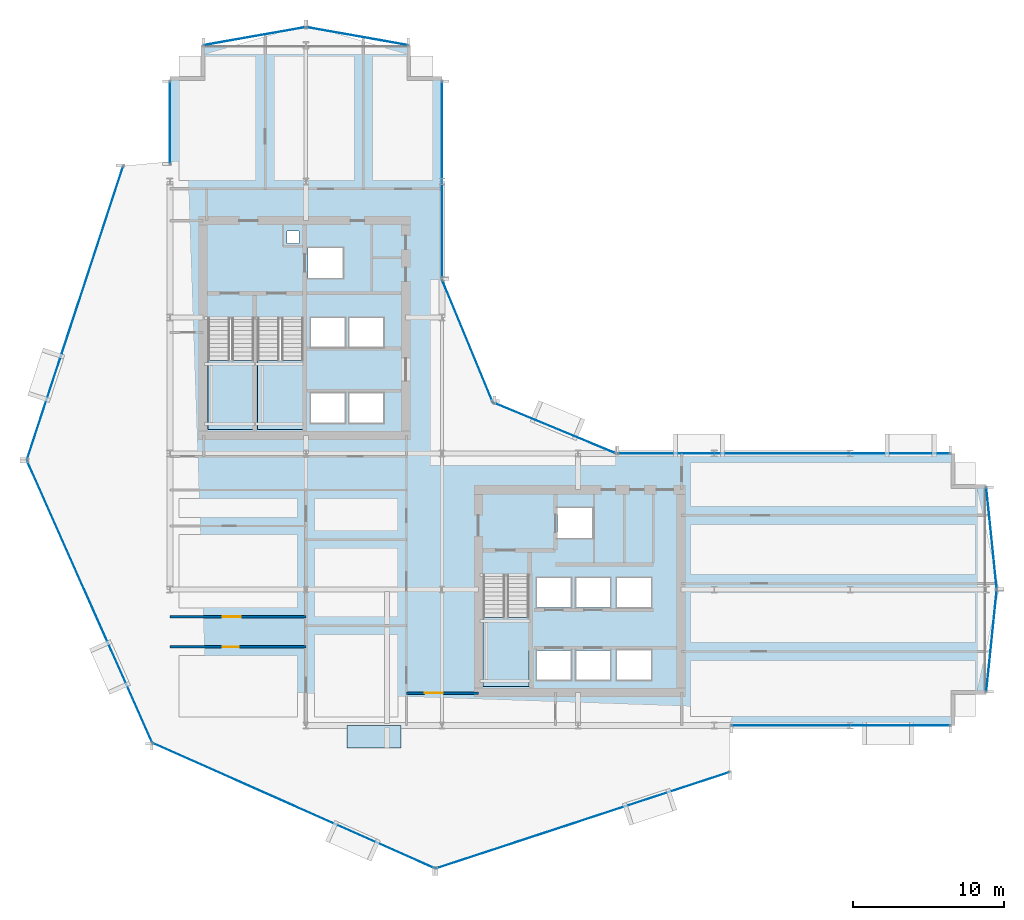
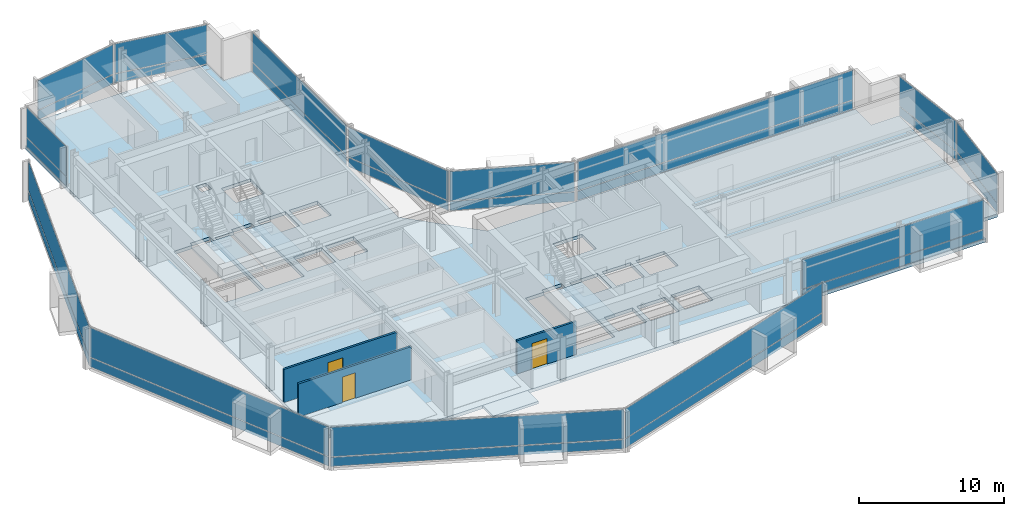
# One storey, part 26 of 34: 28 plates, 5 slabs, 3 doors, 3 walls, 3 openings, 17 elements without a shape of their own.
"""IFC4 building model written with IfcOpenShell, lengths in metres."""

from ifc_helpers import new_model, si_unit, direction, frame, frame_2d, origin, origin_2d, place, context, subcontext, project, spatial, polyline, rectangle, outline, extrude, material, layer, layer_set, type_object, element, fill, aggregate, save


model = new_model("IFC4")

# Units and contexts
model_context = context("Model", 3, precision=1e-05, world=origin(), true_north=direction((0.0, 1.0)))
body_context = subcontext(model_context, "Body", "Model", "MODEL_VIEW")
ifc_project = project(units=[si_unit("LENGTHUNIT", "METRE"), si_unit("AREAUNIT", "SQUARE_METRE"), si_unit("VOLUMEUNIT", "CUBIC_METRE"), si_unit("PLANEANGLEUNIT", "RADIAN"), si_unit("MASSUNIT", "GRAM", prefix="KILO")], contexts=[model_context])

# Site, building, storey
site_placement = place(None, origin())
site = spatial("IfcSite", under=ifc_project, at=site_placement, CompositionType="ELEMENT")
building_placement = place(site_placement, origin())
building = spatial("IfcBuilding", under=site, at=building_placement, Name="Solvaryn Broadcast Tower", CompositionType="ELEMENT")
storey_placement = place(building_placement, frame((0.0, 0.0, 92.800048828125)))
storey = spatial("IfcBuildingStorey", under=building, at=storey_placement, Name="L22", CompositionType="ELEMENT", Elevation=92.800048828125)

# Curtain wall, plates
ifc_material_1 = material(Name="Aluminium and Terracotta Unitised Curtain Wall", Category="masonry")
ifc_layer_1 = layer(ifc_material_1, 0.199951171875)
ifc_layer_set_1 = layer_set([ifc_layer_1], Name="CW-SYS2-LOWMID")
curtain_wall_type_1 = type_object("IfcCurtainWallType", Name="CW-SYS2-LOWMID", PredefinedType="NOTDEFINED", material=ifc_layer_set_1)
curtain_wall_1_placement = place(storey_placement, origin())
curtain_wall_1 = element("IfcCurtainWall", 1, at=curtain_wall_1_placement, inside=storey, type_object=curtain_wall_type_1, Name="L22 Curtain Wall DR1", PredefinedType="NOTDEFINED")
ifc_material_2 = material(Name="Kiln-Fired Architectural Terracotta Spandrel", Category="masonry")
ifc_layer_2 = layer(ifc_material_2, 0.048095703125)
ifc_layer_set_2 = layer_set([ifc_layer_2], Name="CW-PNL-TERRACOTTA")
plate_type = type_object("IfcPlateType", Name="CW-PNL-TERRACOTTA", PredefinedType="CURTAIN_PANEL", material=ifc_layer_set_2)
plate_1_placement = place(storey_placement, frame((2.72607421875, 36.2880859375, 0.06005859375), z_axis=(0.0, 0.0, 1.0), x_axis=(-0.311594044587, -0.950215318429, 0.0)))
plate_1 = element("IfcPlate", 2, at=plate_1_placement, type_object=plate_type, Name="CWS2 panel 1.1", PredefinedType="CURTAIN_PANEL", context=body_context, shape_type="SweptSolid", body=[
    extrude(rectangle(XDim=20.35546875, YDim=0.028076171875, at=origin_2d()), origin(), (0.0, 0.0, 1.0), 0.760009765625),
])
plate_2_placement = place(storey_placement, frame((2.72607421875, 36.2880859375, 0.8798828125), z_axis=(0.0, 0.0, 1.0), x_axis=(-0.311594044587, -0.950215318429, 0.0)))
plate_2 = element("IfcPlate", 3, at=plate_2_placement, type_object=plate_type, Name="CWS2 panel 1.2", PredefinedType="CURTAIN_PANEL", context=body_context, shape_type="SweptSolid", body=[
    extrude(rectangle(XDim=20.35546875, YDim=0.028076171875, at=origin_2d()), origin(), (0.0, 0.0, 1.0), 2.47998046875),
])
aggregate(curtain_wall_1, [plate_1, plate_2])

ifc_material_3 = material(Name="Aluminium and Terracotta Unitised Curtain Wall", Category="masonry")
ifc_layer_3 = layer(ifc_material_3, 0.239990234375)
ifc_layer_set_3 = layer_set([ifc_layer_3], Name="CW-SYS3-BAYBOX")
curtain_wall_type_2 = type_object("IfcCurtainWallType", Name="CW-SYS3-BAYBOX", PredefinedType="NOTDEFINED", material=ifc_layer_set_3)
curtain_wall_2_placement = place(storey_placement, origin())
curtain_wall_2 = element("IfcCurtainWall", 4, at=curtain_wall_2_placement, inside=storey, type_object=curtain_wall_type_2, Name="L22 Curtain Wall DR2", PredefinedType="NOTDEFINED")
plate_3_placement = place(storey_placement, frame((3.69140625, 17.20361328125, 0.06005859375), z_axis=(0.0, 0.0, 1.0), x_axis=(0.405898286554, -0.913918257271, 0.0)))
plate_3 = element("IfcPlate", 5, at=plate_3_placement, type_object=plate_type, Name="CWS3 panel 1.1", PredefinedType="CURTAIN_PANEL", context=body_context, shape_type="SweptSolid", body=[
    extrude(rectangle(XDim=20.35546875, YDim=0.028076171875, at=origin_2d()), origin(), (0.0, 0.0, 1.0), 0.760009765625),
])
plate_4_placement = place(storey_placement, frame((3.69140625, 17.20361328125, 0.8798828125), z_axis=(0.0, 0.0, 1.0), x_axis=(0.405898286554, -0.913918257271, 0.0)))
plate_4 = element("IfcPlate", 6, at=plate_4_placement, type_object=plate_type, Name="CWS3 panel 1.2", PredefinedType="CURTAIN_PANEL", context=body_context, shape_type="SweptSolid", body=[
    extrude(rectangle(XDim=20.35546875, YDim=0.028076171875, at=origin_2d()), origin(), (0.0, 0.0, 1.0), 2.47998046875),
])
aggregate(curtain_wall_2, [plate_3, plate_4])

curtain_wall_3_placement = place(storey_placement, origin())
curtain_wall_3 = element("IfcCurtainWall", 7, at=curtain_wall_3_placement, inside=storey, type_object=curtain_wall_type_1, Name="L22 Curtain Wall DR3", PredefinedType="NOTDEFINED")
plate_5_placement = place(storey_placement, frame((17.20361328125, 3.69140625, 0.06005859375), z_axis=(0.0, 0.0, 1.0), x_axis=(0.913918257271, -0.405898286554, 0.0)))
plate_5 = element("IfcPlate", 8, at=plate_5_placement, type_object=plate_type, Name="CWS2 panel 1.1", PredefinedType="CURTAIN_PANEL", context=body_context, shape_type="SweptSolid", body=[
    extrude(rectangle(XDim=20.35546875, YDim=0.028076171875, at=origin_2d()), origin(), (0.0, 0.0, 1.0), 0.760009765625),
])
plate_6_placement = place(storey_placement, frame((17.20361328125, 3.69140625, 0.8798828125), z_axis=(0.0, 0.0, 1.0), x_axis=(0.913918257271, -0.405898286554, 0.0)))
plate_6 = element("IfcPlate", 9, at=plate_6_placement, type_object=plate_type, Name="CWS2 panel 1.2", PredefinedType="CURTAIN_PANEL", context=body_context, shape_type="SweptSolid", body=[
    extrude(rectangle(XDim=20.35546875, YDim=0.028076171875, at=origin_2d()), origin(), (0.0, 0.0, 1.0), 2.47998046875),
])
aggregate(curtain_wall_3, [plate_5, plate_6])

curtain_wall_4_placement = place(storey_placement, origin())
curtain_wall_4 = element("IfcCurtainWall", 10, at=curtain_wall_4_placement, inside=storey, type_object=curtain_wall_type_1, Name="L22 Curtain Wall DR4", PredefinedType="NOTDEFINED")
plate_7_placement = place(storey_placement, frame((36.2880859375, 2.72607421875, 0.06005859375), z_axis=(0.0, 0.0, 1.0), x_axis=(0.950215318429, 0.311594044587, 0.0)))
plate_7 = element("IfcPlate", 11, at=plate_7_placement, type_object=plate_type, Name="CWS2 panel 1.1", PredefinedType="CURTAIN_PANEL", context=body_context, shape_type="SweptSolid", body=[
    extrude(rectangle(XDim=20.35546875, YDim=0.028076171875, at=origin_2d()), origin(), (0.0, 0.0, 1.0), 0.760009765625),
])
plate_8_placement = place(storey_placement, frame((36.2880859375, 2.72607421875, 0.8798828125), z_axis=(0.0, 0.0, 1.0), x_axis=(0.950215318429, 0.311594044587, 0.0)))
plate_8 = element("IfcPlate", 12, at=plate_8_placement, type_object=plate_type, Name="CWS2 panel 1.2", PredefinedType="CURTAIN_PANEL", context=body_context, shape_type="SweptSolid", body=[
    extrude(rectangle(XDim=20.35546875, YDim=0.028076171875, at=origin_2d()), origin(), (0.0, 0.0, 1.0), 2.47998046875),
])
aggregate(curtain_wall_4, [plate_7, plate_8])

curtain_wall_5_placement = place(storey_placement, origin())
curtain_wall_5 = element("IfcCurtainWall", 13, at=curtain_wall_5_placement, inside=storey, type_object=curtain_wall_type_1, Name="L22 Curtain Wall W2", PredefinedType="NOTDEFINED")
plate_9_placement = place(storey_placement, frame((9.0, 48.883056640625, 0.06005859375), z_axis=(0.0, 0.0, 1.0), x_axis=(0.0, 1.0, 0.0)))
plate_9 = element("IfcPlate", 14, at=plate_9_placement, type_object=plate_type, Name="CWS2 panel 1.1", PredefinedType="CURTAIN_PANEL", context=body_context, shape_type="SweptSolid", body=[
    extrude(rectangle(XDim=5.4140625, YDim=0.028076171875, at=origin_2d()), origin(), (0.0, 0.0, 1.0), 0.760009765625),
])
plate_10_placement = place(storey_placement, frame((9.0, 48.883056640625, 0.8798828125), z_axis=(0.0, 0.0, 1.0), x_axis=(0.0, 1.0, 0.0)))
plate_10 = element("IfcPlate", 15, at=plate_10_placement, type_object=plate_type, Name="CWS2 panel 1.2", PredefinedType="CURTAIN_PANEL", context=body_context, shape_type="SweptSolid", body=[
    extrude(rectangle(XDim=5.4140625, YDim=0.028076171875, at=origin_2d()), origin(), (0.0, 0.0, 1.0), 2.47998046875),
])
aggregate(curtain_wall_5, [plate_9, plate_10])

curtain_wall_6_placement = place(storey_placement, origin())
curtain_wall_6 = element("IfcCurtainWall", 16, at=curtain_wall_6_placement, inside=storey, type_object=curtain_wall_type_1, Name="L22 Curtain Wall IV", PredefinedType="NOTDEFINED")
plate_11_placement = place(storey_placement, frame((27.0, 45.125, 0.06005859375), z_axis=(0.0, 0.0, 1.0), x_axis=(0.0, -1.0, 0.0)))
plate_11 = element("IfcPlate", 17, at=plate_11_placement, type_object=plate_type, Name="CWS2 panel 1.1", PredefinedType="CURTAIN_PANEL", context=body_context, shape_type="SweptSolid", body=[
    extrude(rectangle(XDim=12.929931640625, YDim=0.028076171875, at=origin_2d()), origin(), (0.0, 0.0, 1.0), 0.760009765625),
])
plate_12_placement = place(storey_placement, frame((27.0, 45.125, 0.8798828125), z_axis=(0.0, 0.0, 1.0), x_axis=(0.0, -1.0, 0.0)))
plate_12 = element("IfcPlate", 18, at=plate_12_placement, type_object=plate_type, Name="CWS2 panel 1.2", PredefinedType="CURTAIN_PANEL", context=body_context, shape_type="SweptSolid", body=[
    extrude(rectangle(XDim=12.929931640625, YDim=0.028076171875, at=origin_2d()), origin(), (0.0, 0.0, 1.0), 2.47998046875),
])
aggregate(curtain_wall_6, [plate_11, plate_12])

curtain_wall_7_placement = place(storey_placement, origin())
curtain_wall_7 = element("IfcCurtainWall", 19, at=curtain_wall_7_placement, inside=storey, type_object=curtain_wall_type_1, Name="L22 Curtain Wall CN1", PredefinedType="NOTDEFINED")
plate_13_placement = place(storey_placement, frame((34.43408203125, 28.68408203125, 0.06005859375), z_axis=(0.0, 0.0, 1.0), x_axis=(-0.923894983957, 0.382646127145, 0.0)))
plate_13 = element("IfcPlate", 20, at=plate_13_placement, type_object=plate_type, Name="CWS2 panel 1.1", PredefinedType="CURTAIN_PANEL", context=body_context, shape_type="SweptSolid", body=[
    extrude(rectangle(XDim=8.681884765625, YDim=0.028076171875, at=origin_2d()), origin(), (0.0, 0.0, 1.0), 0.760009765625),
])
plate_14_placement = place(storey_placement, frame((34.43408203125, 28.68408203125, 0.8798828125), z_axis=(0.0, 0.0, 1.0), x_axis=(-0.923894983957, 0.382646127145, 0.0)))
plate_14 = element("IfcPlate", 21, at=plate_14_placement, type_object=plate_type, Name="CWS2 panel 1.2", PredefinedType="CURTAIN_PANEL", context=body_context, shape_type="SweptSolid", body=[
    extrude(rectangle(XDim=8.681884765625, YDim=0.028076171875, at=origin_2d()), origin(), (0.0, 0.0, 1.0), 2.47998046875),
])
aggregate(curtain_wall_7, [plate_13, plate_14])

curtain_wall_8_placement = place(storey_placement, origin())
curtain_wall_8 = element("IfcCurtainWall", 22, at=curtain_wall_8_placement, inside=storey, type_object=curtain_wall_type_1, Name="L22 Curtain Wall CN2", PredefinedType="NOTDEFINED")
plate_15_placement = place(storey_placement, frame((28.68408203125, 34.43408203125, 0.06005859375), z_axis=(0.0, 0.0, 1.0), x_axis=(-0.382646127145, 0.923894983957, 0.0)))
plate_15 = element("IfcPlate", 23, at=plate_15_placement, type_object=plate_type, Name="CWS2 panel 1.1", PredefinedType="CURTAIN_PANEL", context=body_context, shape_type="SweptSolid", body=[
    extrude(rectangle(XDim=8.681884765625, YDim=0.028076171875, at=origin_2d()), origin(), (0.0, 0.0, 1.0), 0.760009765625),
])
plate_16_placement = place(storey_placement, frame((28.68408203125, 34.43408203125, 0.8798828125), z_axis=(0.0, 0.0, 1.0), x_axis=(-0.382646127145, 0.923894983957, 0.0)))
plate_16 = element("IfcPlate", 24, at=plate_16_placement, type_object=plate_type, Name="CWS2 panel 1.2", PredefinedType="CURTAIN_PANEL", context=body_context, shape_type="SweptSolid", body=[
    extrude(rectangle(XDim=8.681884765625, YDim=0.028076171875, at=origin_2d()), origin(), (0.0, 0.0, 1.0), 2.47998046875),
])
aggregate(curtain_wall_8, [plate_15, plate_16])

curtain_wall_9_placement = place(storey_placement, origin())
curtain_wall_9 = element("IfcCurtainWall", 25, at=curtain_wall_9_placement, inside=storey, type_object=curtain_wall_type_1, Name="L22 Curtain Wall S2", PredefinedType="NOTDEFINED")
plate_17_placement = place(storey_placement, frame((53.383056640625, 9.0, 0.06005859375), z_axis=(0.0, 0.0, 1.0), x_axis=(1.0, 0.0, 0.0)))
plate_17 = element("IfcPlate", 26, at=plate_17_placement, type_object=plate_type, Name="CWS2 panel 1.1", PredefinedType="CURTAIN_PANEL", context=body_context, shape_type="SweptSolid", body=[
    extrude(rectangle(XDim=14.4140625, YDim=0.028076171875, at=origin_2d()), origin(), (0.0, 0.0, 1.0), 0.760009765625),
])
plate_18_placement = place(storey_placement, frame((53.383056640625, 9.0, 0.8798828125), z_axis=(0.0, 0.0, 1.0), x_axis=(1.0, 0.0, 0.0)))
plate_18 = element("IfcPlate", 27, at=plate_18_placement, type_object=plate_type, Name="CWS2 panel 1.2", PredefinedType="CURTAIN_PANEL", context=body_context, shape_type="SweptSolid", body=[
    extrude(rectangle(XDim=14.4140625, YDim=0.028076171875, at=origin_2d()), origin(), (0.0, 0.0, 1.0), 2.47998046875),
])
aggregate(curtain_wall_9, [plate_17, plate_18])

curtain_wall_10_placement = place(storey_placement, origin())
curtain_wall_10 = element("IfcCurtainWall", 28, at=curtain_wall_10_placement, inside=storey, type_object=curtain_wall_type_1, Name="L22 Curtain Wall NT1", PredefinedType="NOTDEFINED")
plate_19_placement = place(storey_placement, frame((21.39990234375, 54.60009765625, 0.06005859375), z_axis=(0.0, 0.0, 1.0), x_axis=(-0.984783558819, 0.173785333901, 0.0)))
plate_19 = element("IfcPlate", 29, at=plate_19_placement, type_object=plate_type, Name="CWS2 panel 1.1", PredefinedType="CURTAIN_PANEL", context=body_context, shape_type="SweptSolid", body=[
    extrude(rectangle(XDim=6.78515625, YDim=0.028076171875, at=origin_2d()), origin(), (0.0, 0.0, 1.0), 0.760009765625),
])
plate_20_placement = place(storey_placement, frame((21.39990234375, 54.60009765625, 0.8798828125), z_axis=(0.0, 0.0, 1.0), x_axis=(-0.984783558819, 0.173785333901, 0.0)))
plate_20 = element("IfcPlate", 30, at=plate_20_placement, type_object=plate_type, Name="CWS2 panel 1.2", PredefinedType="CURTAIN_PANEL", context=body_context, shape_type="SweptSolid", body=[
    extrude(rectangle(XDim=6.78515625, YDim=0.028076171875, at=origin_2d()), origin(), (0.0, 0.0, 1.0), 2.47998046875),
])
aggregate(curtain_wall_10, [plate_19, plate_20])

curtain_wall_11_placement = place(storey_placement, origin())
curtain_wall_11 = element("IfcCurtainWall", 31, at=curtain_wall_11_placement, inside=storey, type_object=curtain_wall_type_1, Name="L22 Curtain Wall NT2", PredefinedType="NOTDEFINED")
plate_21_placement = place(storey_placement, frame((14.60009765625, 54.60009765625, 0.06005859375), z_axis=(0.0, 0.0, 1.0), x_axis=(-0.984783558819, -0.173785333901, 0.0)))
plate_21 = element("IfcPlate", 32, at=plate_21_placement, type_object=plate_type, Name="CWS2 panel 1.1", PredefinedType="CURTAIN_PANEL", context=body_context, shape_type="SweptSolid", body=[
    extrude(rectangle(XDim=6.78515625, YDim=0.028076171875, at=origin_2d()), origin(), (0.0, 0.0, 1.0), 0.760009765625),
])
plate_22_placement = place(storey_placement, frame((14.60009765625, 54.60009765625, 0.8798828125), z_axis=(0.0, 0.0, 1.0), x_axis=(-0.984783558819, -0.173785333901, 0.0)))
plate_22 = element("IfcPlate", 33, at=plate_22_placement, type_object=plate_type, Name="CWS2 panel 1.2", PredefinedType="CURTAIN_PANEL", context=body_context, shape_type="SweptSolid", body=[
    extrude(rectangle(XDim=6.78515625, YDim=0.028076171875, at=origin_2d()), origin(), (0.0, 0.0, 1.0), 2.47998046875),
])
aggregate(curtain_wall_11, [plate_21, plate_22])

curtain_wall_12_placement = place(storey_placement, origin())
curtain_wall_12 = element("IfcCurtainWall", 34, at=curtain_wall_12_placement, inside=storey, type_object=curtain_wall_type_1, Name="L22 Curtain Wall ET1", PredefinedType="NOTDEFINED")
plate_23_placement = place(storey_placement, frame((63.35009765625, 21.39990234375, 0.06005859375), z_axis=(0.0, 0.0, 1.0), x_axis=(0.10240004548, -0.99474329889, 0.0)))
plate_23 = element("IfcPlate", 35, at=plate_23_placement, type_object=plate_type, Name="CWS2 panel 1.1", PredefinedType="CURTAIN_PANEL", context=body_context, shape_type="SweptSolid", body=[
    extrude(rectangle(XDim=6.7158203125, YDim=0.028076171875, at=origin_2d()), origin(), (0.0, 0.0, 1.0), 0.760009765625),
])
plate_24_placement = place(storey_placement, frame((63.35009765625, 21.39990234375, 0.8798828125), z_axis=(0.0, 0.0, 1.0), x_axis=(0.10240004548, -0.99474329889, 0.0)))
plate_24 = element("IfcPlate", 36, at=plate_24_placement, type_object=plate_type, Name="CWS2 panel 1.2", PredefinedType="CURTAIN_PANEL", context=body_context, shape_type="SweptSolid", body=[
    extrude(rectangle(XDim=6.7158203125, YDim=0.028076171875, at=origin_2d()), origin(), (0.0, 0.0, 1.0), 2.47998046875),
])
aggregate(curtain_wall_12, [plate_23, plate_24])

curtain_wall_13_placement = place(storey_placement, origin())
curtain_wall_13 = element("IfcCurtainWall", 37, at=curtain_wall_13_placement, inside=storey, type_object=curtain_wall_type_1, Name="L22 Curtain Wall ET2", PredefinedType="NOTDEFINED")
plate_25_placement = place(storey_placement, frame((63.35009765625, 14.60009765625, 0.06005859375), z_axis=(0.0, 0.0, 1.0), x_axis=(-0.10240004548, -0.99474329889, 0.0)))
plate_25 = element("IfcPlate", 38, at=plate_25_placement, type_object=plate_type, Name="CWS2 panel 1.1", PredefinedType="CURTAIN_PANEL", context=body_context, shape_type="SweptSolid", body=[
    extrude(rectangle(XDim=6.7158203125, YDim=0.028076171875, at=origin_2d()), origin(), (0.0, 0.0, 1.0), 0.760009765625),
])
plate_26_placement = place(storey_placement, frame((63.35009765625, 14.60009765625, 0.8798828125), z_axis=(0.0, 0.0, 1.0), x_axis=(-0.10240004548, -0.99474329889, 0.0)))
plate_26 = element("IfcPlate", 39, at=plate_26_placement, type_object=plate_type, Name="CWS2 panel 1.2", PredefinedType="CURTAIN_PANEL", context=body_context, shape_type="SweptSolid", body=[
    extrude(rectangle(XDim=6.7158203125, YDim=0.028076171875, at=origin_2d()), origin(), (0.0, 0.0, 1.0), 2.47998046875),
])
aggregate(curtain_wall_13, [plate_25, plate_26])

curtain_wall_14_placement = place(storey_placement, origin())
curtain_wall_14 = element("IfcCurtainWall", 40, at=curtain_wall_14_placement, inside=storey, type_object=curtain_wall_type_1, Name="L22 Curtain Wall IH", PredefinedType="NOTDEFINED")
plate_27_placement = place(storey_placement, frame((49.625, 27.0, 0.06005859375), z_axis=(0.0, 0.0, 1.0), x_axis=(1.0, 0.0, 0.0)))
plate_27 = element("IfcPlate", 41, at=plate_27_placement, type_object=plate_type, Name="CWS2 panel 1.1", PredefinedType="CURTAIN_PANEL", context=body_context, shape_type="SweptSolid", body=[
    extrude(rectangle(XDim=21.929931640625, YDim=0.028076171875, at=origin_2d()), origin(), (0.0, 0.0, 1.0), 0.760009765625),
])
plate_28_placement = place(storey_placement, frame((49.625, 27.0, 0.8798828125), z_axis=(0.0, 0.0, 1.0), x_axis=(1.0, 0.0, 0.0)))
plate_28 = element("IfcPlate", 42, at=plate_28_placement, type_object=plate_type, Name="CWS2 panel 1.2", PredefinedType="CURTAIN_PANEL", context=body_context, shape_type="SweptSolid", body=[
    extrude(rectangle(XDim=21.929931640625, YDim=0.028076171875, at=origin_2d()), origin(), (0.0, 0.0, 1.0), 2.47998046875),
])
aggregate(curtain_wall_14, [plate_27, plate_28])

# Slab
ifc_material_4 = material(Name="Concrete f'c 60 MPa", Category="concrete")
ifc_layer_4 = layer(ifc_material_4, 0.2099609375)
ifc_layer_set_4 = layer_set([ifc_layer_4], Name="SL-BAYBOX-210")
slab_type_1 = type_object("IfcSlabType", Name="SL-BAYBOX-210", PredefinedType="FLOOR", material=ifc_layer_set_4)
slab_1_placement = place(storey_placement, frame((0.0, 0.0, -0.2099609375)))
element("IfcSlab", 43, at=slab_1_placement, inside=storey, type_object=slab_type_1, Name="L22 Projecting Bay-Box Slab 1", PredefinedType="FLOOR", context=body_context, shape_type="SweptSolid", body=[
    extrude(outline(polyline([(20.699951171875, 7.5), (24.300048828125, 7.5), (24.300048828125, 9.0), (20.699951171875, 9.0), (20.699951171875, 7.5)])), origin(), (0.0, 0.0, 1.0), 0.2099609375),
])

# Stair, slab
ifc_material_5 = material(Name="Concrete f'c 60 MPa", Category="concrete")
stair_type = type_object("IfcStairType", Name="ST-CORE", PredefinedType="HALF_TURN_STAIR", material=ifc_material_5)
stair_1_placement = place(storey_placement, origin())
stair_1 = element("IfcStair", 44, at=stair_1_placement, inside=storey, type_object=stair_type, Name="L22 ST1", PredefinedType="HALF_TURN_STAIR")
ifc_material_6 = material(Name="Concrete f'c 60 MPa", Category="concrete")
ifc_layer_5 = layer(ifc_material_6, 0.199951171875)
ifc_layer_set_5 = layer_set([ifc_layer_5], Name="SL-LANDING-200")
slab_type_2 = type_object("IfcSlabType", Name="SL-LANDING-200", PredefinedType="LANDING", material=ifc_layer_set_5)
slab_2_placement = place(storey_placement, frame((0.0, 0.0, 1.64990234375)))
slab_2 = element("IfcSlab", 45, at=slab_2_placement, type_object=slab_type_2, Name="ST1 landing 1", PredefinedType="LANDING", context=body_context, shape_type="SweptSolid", body=[
    extrude(outline(polyline([(11.52001953125, 33.159912109375), (11.52001953125, 28.60009765625), (14.550048828125, 28.60009765625), (14.550048828125, 33.159912109375), (11.52001953125, 33.159912109375)])), origin(), (0.0, 0.0, 1.0), 0.199951171875),
])
aggregate(stair_1, [slab_2])

stair_2_placement = place(storey_placement, origin())
stair_2 = element("IfcStair", 46, at=stair_2_placement, inside=storey, type_object=stair_type, Name="L22 ST2", PredefinedType="HALF_TURN_STAIR")
slab_3_placement = place(storey_placement, frame((0.0, 0.0, 1.64990234375)))
slab_3 = element("IfcSlab", 47, at=slab_3_placement, type_object=slab_type_2, Name="ST2 landing 1", PredefinedType="LANDING", context=body_context, shape_type="SweptSolid", body=[
    extrude(outline(polyline([(14.800048828125, 33.159912109375), (14.800048828125, 28.60009765625), (17.830078125, 28.60009765625), (17.830078125, 33.159912109375), (14.800048828125, 33.159912109375)])), origin(), (0.0, 0.0, 1.0), 0.199951171875),
])
aggregate(stair_2, [slab_3])

stair_3_placement = place(storey_placement, origin())
stair_3 = element("IfcStair", 48, at=stair_3_placement, inside=storey, type_object=stair_type, Name="L22 ST3", PredefinedType="HALF_TURN_STAIR")
slab_4_placement = place(storey_placement, frame((0.0, 0.0, 1.64990234375)))
slab_4 = element("IfcSlab", 49, at=slab_4_placement, type_object=slab_type_2, Name="ST3 landing 1", PredefinedType="LANDING", context=body_context, shape_type="SweptSolid", body=[
    extrude(outline(polyline([(29.719970703125, 16.159912109375), (29.719970703125, 11.60009765625), (32.75, 11.60009765625), (32.75, 16.159912109375), (29.719970703125, 16.159912109375)])), origin(), (0.0, 0.0, 1.0), 0.199951171875),
])
aggregate(stair_3, [slab_4])

# Slab
ifc_material_7 = material(Name="Concrete f'c 60 MPa", Category="concrete")
ifc_layer_6 = layer(ifc_material_7, 0.280029296875)
ifc_layer_set_6 = layer_set([ifc_layer_6], Name="SL-TWR-280")
slab_type_3 = type_object("IfcSlabType", Name="SL-TWR-280", PredefinedType="FLOOR", material=ifc_layer_set_6)
slab_5_placement = place(storey_placement, frame((0.0, 0.0, -0.280029296875)))
element("IfcSlab", 50, at=slab_5_placement, inside=storey, type_object=slab_type_3, Name="L22 Structural Floor Slab", PredefinedType="FLOOR", context=body_context, shape_type="SweptSolid", body=[
    extrude(outline(polyline([(11.199951171875, 9.0), (60.800048828125, 9.0), (60.800048828125, 11.199951171875), (63.0, 11.199951171875), (63.0, 24.800048828125), (60.800048828125, 24.800048828125), (60.800048828125, 27.0), (31.5, 27.0), (27.0, 31.5), (27.0, 51.800048828125), (24.800048828125, 51.800048828125), (24.800048828125, 54.0), (11.199951171875, 54.0), (11.199951171875, 51.800048828125), (9.0, 51.800048828125), (9.0, 11.199951171875), (11.199951171875, 11.199951171875), (11.199951171875, 9.0)]), holes=[polyline([(11.52001953125, 28.60009765625), (14.550048828125, 28.60009765625), (14.550048828125, 35.9599609375), (12.97998046875, 35.9599609375), (12.97998046875, 35.679931640625), (11.52001953125, 35.679931640625), (11.52001953125, 28.60009765625)]), polyline([(14.800048828125, 28.60009765625), (17.830078125, 28.60009765625), (17.830078125, 35.9599609375), (16.260009765625, 35.9599609375), (16.260009765625, 35.679931640625), (14.800048828125, 35.679931640625), (14.800048828125, 28.60009765625)]), polyline([(29.719970703125, 11.60009765625), (32.75, 11.60009765625), (32.75, 18.9599609375), (31.179931640625, 18.9599609375), (31.179931640625, 18.679931640625), (29.719970703125, 18.679931640625), (29.719970703125, 11.60009765625)]), polyline([(18.14990234375, 38.60009765625), (20.449951171875, 38.60009765625), (20.449951171875, 40.60009765625), (18.14990234375, 40.60009765625), (18.14990234375, 38.60009765625)]), polyline([(18.324951171875, 29.02490234375), (20.574951171875, 29.02490234375), (20.574951171875, 30.97509765625), (18.324951171875, 30.97509765625), (18.324951171875, 29.02490234375)]), polyline([(20.875, 29.02490234375), (23.125, 29.02490234375), (23.125, 30.97509765625), (20.875, 30.97509765625), (20.875, 29.02490234375)]), polyline([(18.324951171875, 34.02490234375), (20.574951171875, 34.02490234375), (20.574951171875, 35.97509765625), (18.324951171875, 35.97509765625), (18.324951171875, 34.02490234375)]), polyline([(20.875, 34.02490234375), (23.125, 34.02490234375), (23.125, 35.97509765625), (20.875, 35.97509765625), (20.875, 34.02490234375)]), polyline([(34.64990234375, 21.39990234375), (36.949951171875, 21.39990234375), (36.949951171875, 23.39990234375), (34.64990234375, 23.39990234375), (34.64990234375, 21.39990234375)]), polyline([(33.27490234375, 12.02490234375), (35.52490234375, 12.02490234375), (35.52490234375, 13.97509765625), (33.27490234375, 13.97509765625), (33.27490234375, 12.02490234375)]), polyline([(35.875, 12.02490234375), (38.125, 12.02490234375), (38.125, 13.97509765625), (35.875, 13.97509765625), (35.875, 12.02490234375)]), polyline([(33.27490234375, 16.824951171875), (35.52490234375, 16.824951171875), (35.52490234375, 18.77490234375), (33.27490234375, 18.77490234375), (33.27490234375, 16.824951171875)]), polyline([(35.875, 16.824951171875), (38.125, 16.824951171875), (38.125, 18.77490234375), (35.875, 18.77490234375), (35.875, 16.824951171875)]), polyline([(38.574951171875, 12.02490234375), (40.824951171875, 12.02490234375), (40.824951171875, 13.97509765625), (38.574951171875, 13.97509765625), (38.574951171875, 12.02490234375)]), polyline([(38.574951171875, 16.824951171875), (40.824951171875, 16.824951171875), (40.824951171875, 18.77490234375), (38.574951171875, 18.77490234375), (38.574951171875, 16.824951171875)]), polyline([(16.75, 40.89990234375), (17.550048828125, 40.89990234375), (17.550048828125, 41.699951171875), (16.75, 41.699951171875), (16.75, 40.89990234375)])]), origin(), (0.0, 0.0, 1.0), 0.280029296875),
])

# Wall, opening, door
ifc_material_8 = material(Name="Metal-Stud Gypsum Office Partition")
ifc_layer_7 = layer(ifc_material_8, 0.159912109375)
ifc_layer_set_7 = layer_set([ifc_layer_7], Name="IW-PART-160")
wall_type = type_object("IfcWallType", Name="IW-PART-160", PredefinedType="PARTITIONING", material=ifc_layer_set_7)
wall_1_placement = place(storey_placement, frame((9.0, 14.199951171875, 0.0), z_axis=(0.0, 0.0, 1.0), x_axis=(1.0, 0.0, 0.0)))
wall_1 = element("IfcWall", 51, at=wall_1_placement, inside=storey, type_object=wall_type, Name="L22 Interior Partition IW-L22-SWW-H1", PredefinedType="PARTITIONING", context=body_context, shape_type="SweptSolid", body=[
    extrude(rectangle(XDim=9.0, YDim=0.159912109375, at=frame_2d((4.5, 0.0))), origin(), (0.0, 0.0, 1.0), 2.7919921875),
])
opening_1_placement = place(wall_1_placement, frame((3.5, 0.0, 0.0)))
opening_1 = element("IfcOpeningElement", 52, at=opening_1_placement, cuts=wall_1, Name="Opening ID03", PredefinedType="OPENING", context=body_context, shape_type="SweptSolid", body=[
    extrude(rectangle(XDim=1.050048828125, YDim=2.14990234375, at=frame_2d((0.52490234375, 1.074951171875))), frame((0.0, 0.090087890625, 0.0), z_axis=(0.0, -1.0, 0.0), x_axis=(1.0, 0.0, 0.0)), (0.0, 0.0, 1.0), 0.179931640625),
])
ifc_material_9 = material(Name="Flush Acoustic Steel and Timber Door Assembly", Category="steel")
door_type_1 = type_object("IfcDoorType", Name="ID-03-1050X2150", OperationType="NOTDEFINED", PredefinedType="DOOR", material=ifc_material_9)
door_1_placement = place(opening_1_placement, origin())
door_1 = element("IfcDoor", 53, at=door_1_placement, inside=storey, type_object=door_type_1, Name="L22 Door DR-L22-SWW-1", OperationType="SINGLE_SWING_RIGHT", OverallHeight=2.14990234375, OverallWidth=1.050048828125, PredefinedType="DOOR", context=body_context, shape_type="SweptSolid", body=[
    extrude(rectangle(XDim=1.050048828125, YDim=2.14990234375, at=frame_2d((0.52490234375, 1.074951171875))), frame((0.0, 0.02490234375, 0.0), z_axis=(0.0, -1.0, 0.0), x_axis=(1.0, 0.0, 0.0)), (0.0, 0.0, 1.0), 0.050048828125),
])
fill(opening_1, door_1)

wall_2_placement = place(storey_placement, frame((9.0, 16.199951171875, 0.0), z_axis=(0.0, 0.0, 1.0), x_axis=(1.0, 0.0, 0.0)))
wall_2 = element("IfcWall", 54, at=wall_2_placement, inside=storey, type_object=wall_type, Name="L22 Interior Partition IW-L22-SWW-H2", PredefinedType="PARTITIONING", context=body_context, shape_type="SweptSolid", body=[
    extrude(rectangle(XDim=9.0, YDim=0.159912109375, at=frame_2d((4.5, 0.0))), origin(), (0.0, 0.0, 1.0), 2.7919921875),
])
opening_2_placement = place(wall_2_placement, frame((3.5, 0.0, 0.0)))
opening_2 = element("IfcOpeningElement", 55, at=opening_2_placement, cuts=wall_2, Name="Opening ID04", PredefinedType="OPENING", context=body_context, shape_type="SweptSolid", body=[
    extrude(rectangle(XDim=1.199951171875, YDim=2.14990234375, at=frame_2d((0.60009765625, 1.074951171875))), frame((0.0, 0.090087890625, 0.0), z_axis=(0.0, -1.0, 0.0), x_axis=(1.0, 0.0, 0.0)), (0.0, 0.0, 1.0), 0.179931640625),
])
ifc_material_10 = material(Name="Flush Acoustic Steel and Timber Door Assembly", Category="steel")
door_type_2 = type_object("IfcDoorType", Name="ID-04-1200X2150", OperationType="NOTDEFINED", PredefinedType="DOOR", material=ifc_material_10)
door_2_placement = place(opening_2_placement, origin())
door_2 = element("IfcDoor", 56, at=door_2_placement, inside=storey, type_object=door_type_2, Name="L22 Door DR-L22-SWW-2", OperationType="SINGLE_SWING_LEFT", OverallHeight=2.14990234375, OverallWidth=1.199951171875, PredefinedType="DOOR", context=body_context, shape_type="SweptSolid", body=[
    extrude(rectangle(XDim=1.199951171875, YDim=2.14990234375, at=frame_2d((0.60009765625, 1.074951171875))), frame((0.0, 0.02490234375, 0.0), z_axis=(0.0, -1.0, 0.0), x_axis=(1.0, 0.0, 0.0)), (0.0, 0.0, 1.0), 0.050048828125),
])
fill(opening_2, door_2)

wall_3_placement = place(storey_placement, frame((24.64990234375, 11.14990234375, 0.0), z_axis=(0.0, 0.0, 1.0), x_axis=(1.0, 0.0, 0.0)))
wall_3 = element("IfcWall", 57, at=wall_3_placement, inside=storey, type_object=wall_type, Name="L22 Interior Partition IW-L22-SC-N", PredefinedType="PARTITIONING", context=body_context, shape_type="SweptSolid", body=[
    extrude(rectangle(XDim=4.75, YDim=0.159912109375, at=frame_2d((2.375, 0.0))), origin(), (0.0, 0.0, 1.0), 2.7919921875),
])
opening_3_placement = place(wall_3_placement, frame((1.199951171875, 0.0, 0.0)))
opening_3 = element("IfcOpeningElement", 58, at=opening_3_placement, cuts=wall_3, Name="Opening ID04", PredefinedType="OPENING", context=body_context, shape_type="SweptSolid", body=[
    extrude(rectangle(XDim=1.199951171875, YDim=2.14990234375, at=frame_2d((0.60009765625, 1.074951171875))), frame((0.0, 0.090087890625, 0.0), z_axis=(0.0, -1.0, 0.0), x_axis=(1.0, 0.0, 0.0)), (0.0, 0.0, 1.0), 0.179931640625),
])
door_3_placement = place(opening_3_placement, origin())
door_3 = element("IfcDoor", 59, at=door_3_placement, inside=storey, type_object=door_type_2, Name="L22 Door DR-L22-SC0", OperationType="SINGLE_SWING_RIGHT", OverallHeight=2.14990234375, OverallWidth=1.199951171875, PredefinedType="DOOR", context=body_context, shape_type="SweptSolid", body=[
    extrude(rectangle(XDim=1.199951171875, YDim=2.14990234375, at=frame_2d((0.60009765625, 1.074951171875))), frame((0.0, 0.02490234375, 0.0), z_axis=(0.0, -1.0, 0.0), x_axis=(1.0, 0.0, 0.0)), (0.0, 0.0, 1.0), 0.050048828125),
])
fill(opening_3, door_3)

save(model, "model.ifc")
